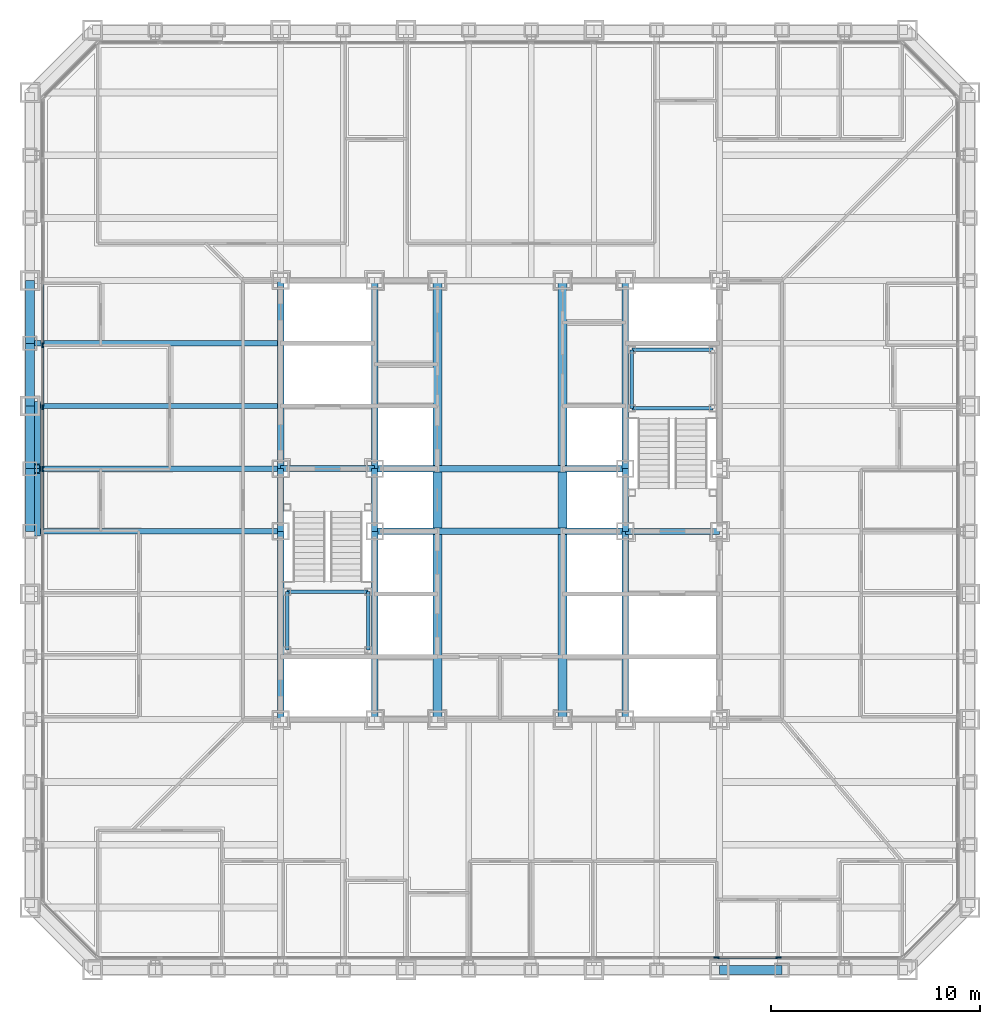
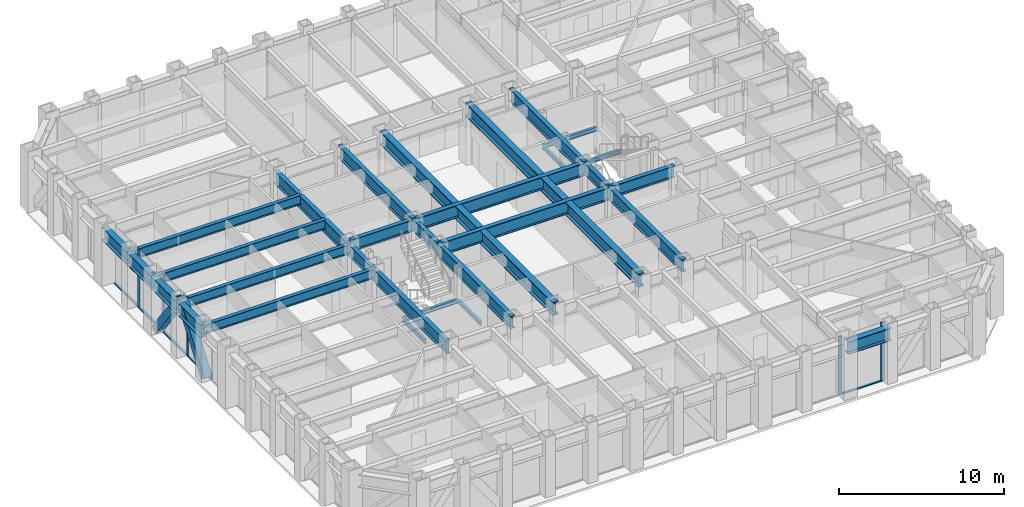
# One storey, part 3 of 16: 34 beams, 12 members, 2 elements without a shape of their own.
"""IFC4 building model written with IfcOpenShell, lengths in metres."""

from ifc_helpers import new_model, si_unit, direction, frame, origin, origin_2d, place, context, subcontext, project, spatial, rectangle, hollow_rectangle, i_section, extrude, material, layer, layer_set, material_profile, profile_set, type_object, element, aggregate, save


model = new_model("IFC4")

# Units and contexts
model_context = context("Model", 3, precision=1e-05, world=origin(), true_north=direction((0.0, 1.0)))
body_context = subcontext(model_context, "Body", "Model", "MODEL_VIEW")
ifc_project = project(units=[si_unit("LENGTHUNIT", "METRE"), si_unit("AREAUNIT", "SQUARE_METRE"), si_unit("VOLUMEUNIT", "CUBIC_METRE"), si_unit("PLANEANGLEUNIT", "RADIAN"), si_unit("MASSUNIT", "GRAM", prefix="KILO")], contexts=[model_context])

# Site, building, storey
site_placement = place(None, origin())
site = spatial("IfcSite", under=ifc_project, at=site_placement, CompositionType="ELEMENT")
building_placement = place(site_placement, origin())
building = spatial("IfcBuilding", under=site, at=building_placement, Name="Chuquiago Exchange Tower", CompositionType="ELEMENT")
storey_placement = place(building_placement, frame((0.0, 0.0, 33.300048828125)))
storey = spatial("IfcBuildingStorey", under=building, at=storey_placement, Name="L06", CompositionType="ELEMENT", Elevation=33.300048828125)

# Beams
ifc_material_1 = material(Name="Steel ASTM A992", Category="steel")
ifc_material_profile_1 = material_profile(ifc_material_1, i_section(OverallWidth=0.307373046875, OverallDepth=0.927001953125, WebThickness=0.01953125, FlangeThickness=0.031982421875, at=origin_2d()), Name="W36X194")
ifc_profile_set_1 = profile_set([ifc_material_profile_1], Name="Steel ASTM A992")
beam_type_1 = type_object("IfcBeamType", Name="B10 W36X194", PredefinedType="BEAM", material=ifc_profile_set_1)
for number, where, z_axis, x_axis, name in (
    (1, (12.0, 12.0, 3.576416015625), (0.0, 1.0, 0.0), (-1.0, 0.0, 0.0), "CB-L07-12_12-12_21"),
    (2, (12.0, 24.0, 3.576416015625), (0.0, 1.0, 0.0), (-1.0, 0.0, 0.0), "CB-L07-12_24-12_33"),
    (3, (16.5, 12.0, 3.87646484375), (0.0, 1.0, 0.0), (-1.0, 0.0, 0.0), "CB-L07-16.5_12-16.5_21"),
    (4, (16.5, 24.0, 3.87646484375), (0.0, 1.0, 0.0), (-1.0, 0.0, 0.0), "CB-L07-16.5_24-16.5_33"),
    (5, (28.5, 12.0, 3.87646484375), (0.0, 1.0, 0.0), (-1.0, 0.0, 0.0), "CB-L07-28.5_12-28.5_21"),
    (6, (28.5, 24.0, 3.87646484375), (0.0, 1.0, 0.0), (-1.0, 0.0, 0.0), "CB-L07-28.5_24-28.5_33"),
):
    element("IfcBeam", number, at=place(storey_placement, frame(where, z_axis=z_axis, x_axis=x_axis)), inside=storey, type_object=beam_type_1, Name=name, PredefinedType="BEAM", context=body_context, shape_type="SweptSolid", body=[
        extrude(i_section(OverallWidth=0.307373046875, OverallDepth=0.927001953125, WebThickness=0.01953125, FlangeThickness=0.031982421875, at=origin_2d()), origin(), (0.0, 0.0, 1.0), 9.0),
    ])
ifc_material_2 = material(Name="Steel ASTM A992", Category="steel")
ifc_material_profile_2 = material_profile(ifc_material_2, i_section(OverallWidth=0.309814453125, OverallDepth=0.949951171875, WebThickness=0.0244140625, FlangeThickness=0.0439453125, at=origin_2d()), Name="W36X256")
ifc_profile_set_2 = profile_set([ifc_material_profile_2], Name="Steel ASTM A992")
beam_type_2 = type_object("IfcBeamType", Name="B11 W36X256", PredefinedType="BEAM", material=ifc_profile_set_2)
for number, where, z_axis, x_axis, name in (
    (7, (16.5, 21.0, 3.864990234375), (1.0, 0.0, 0.0), (0.0, 1.0, 0.0), "CB-L07-16.5_21-28.5_21"),
    (8, (16.5, 24.0, 3.864990234375), (1.0, 0.0, 0.0), (0.0, 1.0, 0.0), "CB-L07-16.5_24-28.5_24"),
):
    element("IfcBeam", number, at=place(storey_placement, frame(where, z_axis=z_axis, x_axis=x_axis)), inside=storey, type_object=beam_type_2, Name=name, PredefinedType="BEAM", context=body_context, shape_type="SweptSolid", body=[
        extrude(i_section(OverallWidth=0.309814453125, OverallDepth=0.949951171875, WebThickness=0.0244140625, FlangeThickness=0.0439453125, at=origin_2d()), origin(), (0.0, 0.0, 1.0), 12.0),
    ])
ifc_material_3 = material(Name="Steel ASTM A992", Category="steel")
ifc_material_profile_3 = material_profile(ifc_material_3, i_section(OverallWidth=0.4267578125, OverallDepth=0.975341796875, WebThickness=0.031005859375, FlangeThickness=0.055908203125, at=origin_2d()), Name="W36X395")
ifc_profile_set_3 = profile_set([ifc_material_profile_3], Name="Steel ASTM A992")
beam_type_3 = type_object("IfcBeamType", Name="B12 W36X395", PredefinedType="BEAM", material=ifc_profile_set_3)
beam_1_placement = place(storey_placement, frame((19.5, 12.0, 3.852294921875), z_axis=(0.0, 1.0, 0.0), x_axis=(-1.0, 0.0, 0.0)))
element("IfcBeam", 9, at=beam_1_placement, inside=storey, type_object=beam_type_3, Name="CB-L07-19.5_12-19.5_20.8451", PredefinedType="BEAM", context=body_context, shape_type="SweptSolid", body=[
    extrude(i_section(OverallWidth=0.4267578125, OverallDepth=0.975341796875, WebThickness=0.031005859375, FlangeThickness=0.055908203125, at=origin_2d()), origin(), (0.0, 0.0, 1.0), 8.84521484375),
])
beam_2_placement = place(storey_placement, frame((19.5, 21.15478515625, 3.852294921875), z_axis=(0.0, 1.0, 0.0), x_axis=(-1.0, 0.0, 0.0)))
element("IfcBeam", 10, at=beam_2_placement, inside=storey, type_object=beam_type_3, Name="CB-L07-19.5_21.1549-19.5_23.8451", PredefinedType="BEAM", context=body_context, shape_type="SweptSolid", body=[
    extrude(i_section(OverallWidth=0.4267578125, OverallDepth=0.975341796875, WebThickness=0.031005859375, FlangeThickness=0.055908203125, at=origin_2d()), origin(), (0.0, 0.0, 1.0), 2.6904296875),
])
for number, where, z_axis, x_axis, name in (
    (11, (19.5, 24.15478515625, 3.852294921875), (0.0, 1.0, 0.0), (-1.0, 0.0, 0.0), "CB-L07-19.5_24.1549-19.5_33"),
    (12, (25.5, 12.0, 3.852294921875), (0.0, 1.0, 0.0), (-1.0, 0.0, 0.0), "CB-L07-25.5_12-25.5_20.8451"),
):
    element("IfcBeam", number, at=place(storey_placement, frame(where, z_axis=z_axis, x_axis=x_axis)), inside=storey, type_object=beam_type_3, Name=name, PredefinedType="BEAM", context=body_context, shape_type="SweptSolid", body=[
        extrude(i_section(OverallWidth=0.4267578125, OverallDepth=0.975341796875, WebThickness=0.031005859375, FlangeThickness=0.055908203125, at=origin_2d()), origin(), (0.0, 0.0, 1.0), 8.84521484375),
    ])
beam_3_placement = place(storey_placement, frame((25.5, 21.15478515625, 3.852294921875), z_axis=(0.0, 1.0, 0.0), x_axis=(-1.0, 0.0, 0.0)))
element("IfcBeam", 13, at=beam_3_placement, inside=storey, type_object=beam_type_3, Name="CB-L07-25.5_21.1549-25.5_23.8451", PredefinedType="BEAM", context=body_context, shape_type="SweptSolid", body=[
    extrude(i_section(OverallWidth=0.4267578125, OverallDepth=0.975341796875, WebThickness=0.031005859375, FlangeThickness=0.055908203125, at=origin_2d()), origin(), (0.0, 0.0, 1.0), 2.6904296875),
])
beam_4_placement = place(storey_placement, frame((25.5, 24.15478515625, 3.852294921875), z_axis=(0.0, 1.0, 0.0), x_axis=(-1.0, 0.0, 0.0)))
element("IfcBeam", 14, at=beam_4_placement, inside=storey, type_object=beam_type_3, Name="CB-L07-25.5_24.1549-25.5_33", PredefinedType="BEAM", context=body_context, shape_type="SweptSolid", body=[
    extrude(i_section(OverallWidth=0.4267578125, OverallDepth=0.975341796875, WebThickness=0.031005859375, FlangeThickness=0.055908203125, at=origin_2d()), origin(), (0.0, 0.0, 1.0), 8.84521484375),
])
ifc_material_4 = material(Name="Steel ASTM A992", Category="steel")
ifc_material_profile_4 = material_profile(ifc_material_4, i_section(OverallWidth=0.2919921875, OverallDepth=0.8583984375, WebThickness=0.01708984375, FlangeThickness=0.031005859375, at=origin_2d()), Name="W33X169")
ifc_profile_set_4 = profile_set([ifc_material_profile_4], Name="Steel ASTM A992")
beam_type_4 = type_object("IfcBeamType", Name="B3 W33X169", PredefinedType="BEAM", material=ifc_profile_set_4)
for number, where, z_axis, x_axis, name in (
    (15, (12.0, 21.0, 3.610595703125), (0.0, 1.0, 0.0), (-1.0, 0.0, 0.0), "CB-L07-12_21-12_24"),
    (16, (16.5, 21.0, 3.91064453125), (0.0, 1.0, 0.0), (-1.0, 0.0, 0.0), "CB-L07-16.5_21-16.5_24"),
    (17, (28.5, 21.0, 3.91064453125), (0.0, 1.0, 0.0), (-1.0, 0.0, 0.0), "CB-L07-28.5_21-28.5_24"),
):
    element("IfcBeam", number, at=place(storey_placement, frame(where, z_axis=z_axis, x_axis=x_axis)), inside=storey, type_object=beam_type_4, Name=name, PredefinedType="BEAM", context=body_context, shape_type="SweptSolid", body=[
        extrude(i_section(OverallWidth=0.2919921875, OverallDepth=0.8583984375, WebThickness=0.01708984375, FlangeThickness=0.031005859375, at=origin_2d()), origin(), (0.0, 0.0, 1.0), 3.0),
    ])
for number, where, z_axis, x_axis, name in (
    (18, (28.5, 21.0, 3.91064453125), (1.0, 0.0, 0.0), (0.0, 1.0, 0.0), "CB-L07-28.5_21-33_21"),
    (19, (12.0, 24.0, 3.91064453125), (1.0, 0.0, 0.0), (0.0, 1.0, 0.0), "CB-L07-12_24-16.5_24"),
):
    element("IfcBeam", number, at=place(storey_placement, frame(where, z_axis=z_axis, x_axis=x_axis)), inside=storey, type_object=beam_type_4, Name=name, PredefinedType="BEAM", context=body_context, shape_type="SweptSolid", body=[
        extrude(i_section(OverallWidth=0.2919921875, OverallDepth=0.8583984375, WebThickness=0.01708984375, FlangeThickness=0.031005859375, at=origin_2d()), origin(), (0.0, 0.0, 1.0), 4.5),
    ])
ifc_material_5 = material(Name="Steel ASTM A992", Category="steel")
ifc_material_profile_5 = material_profile(ifc_material_5, i_section(OverallWidth=0.256591796875, OverallDepth=0.693359375, WebThickness=0.014404296875, FlangeThickness=0.023681640625, at=origin_2d()), Name="W27X114")
ifc_profile_set_5 = profile_set([ifc_material_profile_5], Name="Steel ASTM A992")
beam_type_5 = type_object("IfcBeamType", Name="B4 W27X114", PredefinedType="BEAM", material=ifc_profile_set_5)
for number, where, z_axis, x_axis, name in (
    (20, (12.0, 21.0, 3.693359375), (-1.0, 0.0, 0.0), (0.0, -1.0, 0.0), "FB-L07-infill-12_21--0_21-0"),
    (21, (12.0, 24.0, 3.693359375), (-1.0, 0.0, 0.0), (0.0, -1.0, 0.0), "FB-L07-infill-12_24--0_24-0"),
    (22, (12.0, 27.0, 3.693359375), (-1.0, 0.0, 0.0), (0.0, -1.0, 0.0), "FB-L07-infill-12_27--0_27-0"),
    (23, (12.0, 30.0, 3.693359375), (-1.0, 0.0, 0.0), (0.0, -1.0, 0.0), "FB-L07-infill-12_30--0_30-0"),
):
    element("IfcBeam", number, at=place(storey_placement, frame(where, z_axis=z_axis, x_axis=x_axis)), inside=storey, type_object=beam_type_5, Name=name, PredefinedType="BEAM", context=body_context, shape_type="SweptSolid", body=[
        extrude(i_section(OverallWidth=0.256591796875, OverallDepth=0.693359375, WebThickness=0.014404296875, FlangeThickness=0.023681640625, at=origin_2d()), origin(), (0.0, 0.0, 1.0), 12.0),
    ])

# Curtain wall, members
ifc_material_6 = material(Name="Aluminium curtain wall system", Category="aluminium")
ifc_layer = layer(ifc_material_6, 0.25)
ifc_layer_set = layer_set([ifc_layer], Name="CW1 trading floor curtain wall")
curtain_wall_type = type_object("IfcCurtainWallType", Name="CW1 trading floor curtain wall", PredefinedType="NOTDEFINED", material=ifc_layer_set)
curtain_wall_1_placement = place(storey_placement, origin())
curtain_wall_1 = element("IfcCurtainWall", 24, at=curtain_wall_1_placement, inside=storey, type_object=curtain_wall_type, Name="CW1 curtain wall L06", PredefinedType="NOTDEFINED")
ifc_material_7 = material(Name="Aluminium mullion, pale anodised", Category="aluminium")
ifc_material_profile_6 = material_profile(ifc_material_7, rectangle(XDim=0.074951171875, YDim=0.25, at=origin_2d()), Name="AL 75x250")
ifc_profile_set_6 = profile_set([ifc_material_profile_6], Name="Aluminium mullion, pale anodised")
member_type_1 = type_object("IfcMemberType", Name="CW1-M mullion 75x250", PredefinedType="MULLION", material=ifc_profile_set_6)
member_1_placement = place(storey_placement, frame((32.8662109375, 0.60009765625, -0.300048828125), z_axis=(0.0, 0.0, 1.0), x_axis=(0.0, 1.0, 0.0)))
member_1 = element("IfcMember", 25, at=member_1_placement, type_object=member_type_1, Name="CW1 mullion 11", PredefinedType="MULLION", context=body_context, shape_type="SweptSolid", body=[
    extrude(rectangle(XDim=0.074951171875, YDim=0.25, at=origin_2d()), origin(), (0.0, 0.0, 1.0), 4.340087890625),
])
member_2_placement = place(storey_placement, frame((35.827880859375, 0.60009765625, -0.300048828125), z_axis=(0.0, 0.0, 1.0), x_axis=(0.0, 1.0, 0.0)))
member_2 = element("IfcMember", 26, at=member_2_placement, type_object=member_type_1, Name="CW1 mullion 12", PredefinedType="MULLION", context=body_context, shape_type="SweptSolid", body=[
    extrude(rectangle(XDim=0.074951171875, YDim=0.25, at=origin_2d()), origin(), (0.0, 0.0, 1.0), 4.340087890625),
])

curtain_wall_2_placement = place(storey_placement, origin())
curtain_wall_2 = element("IfcCurtainWall", 27, at=curtain_wall_2_placement, inside=storey, type_object=curtain_wall_type, Name="CW1 curtain wall L06", PredefinedType="NOTDEFINED")
member_3_placement = place(storey_placement, frame((0.60009765625, 29.904541015625, -0.300048828125), z_axis=(0.0, 0.0, 1.0), x_axis=(1.0, 0.0, 0.0)))
member_3 = element("IfcMember", 28, at=member_3_placement, type_object=member_type_1, Name="CW1 mullion 5", PredefinedType="MULLION", context=body_context, shape_type="SweptSolid", body=[
    extrude(rectangle(XDim=0.074951171875, YDim=0.25, at=origin_2d()), origin(), (0.0, 0.0, 1.0), 4.340087890625),
])
member_4_placement = place(storey_placement, frame((0.60009765625, 26.942626953125, -0.300048828125), z_axis=(0.0, 0.0, 1.0), x_axis=(1.0, 0.0, 0.0)))
member_4 = element("IfcMember", 29, at=member_4_placement, type_object=member_type_1, Name="CW1 mullion 6", PredefinedType="MULLION", context=body_context, shape_type="SweptSolid", body=[
    extrude(rectangle(XDim=0.074951171875, YDim=0.25, at=origin_2d()), origin(), (0.0, 0.0, 1.0), 4.340087890625),
])
member_5_placement = place(storey_placement, frame((0.60009765625, 23.98095703125, -0.300048828125), z_axis=(0.0, 0.0, 1.0), x_axis=(1.0, 0.0, 0.0)))
member_5 = element("IfcMember", 30, at=member_5_placement, type_object=member_type_1, Name="CW1 mullion 7", PredefinedType="MULLION", context=body_context, shape_type="SweptSolid", body=[
    extrude(rectangle(XDim=0.074951171875, YDim=0.25, at=origin_2d()), origin(), (0.0, 0.0, 1.0), 4.340087890625),
])

# Member
ifc_material_8 = material(Name="Aluminium transom, pale anodised", Category="aluminium")
ifc_material_profile_7 = material_profile(ifc_material_8, rectangle(XDim=0.14990234375, YDim=0.074951171875, at=origin_2d()), Name="AL 150x75")
ifc_profile_set_7 = profile_set([ifc_material_profile_7], Name="Aluminium transom, pale anodised")
member_type_2 = type_object("IfcMemberType", Name="CW1-T transom 75x150", PredefinedType="MULLION", material=ifc_profile_set_7)
member_6_placement = place(storey_placement, frame((32.90380859375, 0.60009765625, -0.262451171875), z_axis=(1.0, 0.0, 0.0), x_axis=(0.0, 1.0, 0.0)))
member_6 = element("IfcMember", 31, at=member_6_placement, type_object=member_type_2, Name="CW1 transom 11.1", PredefinedType="MULLION", context=body_context, shape_type="SweptSolid", body=[
    extrude(rectangle(XDim=0.14990234375, YDim=0.074951171875, at=origin_2d()), origin(), (0.0, 0.0, 1.0), 2.88671875),
])

aggregate(curtain_wall_1, [member_1, member_2, member_6])

member_7_placement = place(storey_placement, frame((0.60009765625, 32.82861328125, -0.262451171875), z_axis=(0.0, -1.0, 0.0), x_axis=(1.0, 0.0, 0.0)))
member_7 = element("IfcMember", 32, at=member_7_placement, type_object=member_type_2, Name="CW1 transom 4.1", PredefinedType="MULLION", context=body_context, shape_type="SweptSolid", body=[
    extrude(rectangle(XDim=0.14990234375, YDim=0.074951171875, at=origin_2d()), origin(), (0.0, 0.0, 1.0), 2.88671875),
])

member_8_placement = place(storey_placement, frame((0.60009765625, 29.866943359375, -0.262451171875), z_axis=(0.0, -1.0, 0.0), x_axis=(1.0, 0.0, 0.0)))
member_8 = element("IfcMember", 33, at=member_8_placement, type_object=member_type_2, Name="CW1 transom 5.1", PredefinedType="MULLION", context=body_context, shape_type="SweptSolid", body=[
    extrude(rectangle(XDim=0.14990234375, YDim=0.074951171875, at=origin_2d()), origin(), (0.0, 0.0, 1.0), 2.88671875),
])

member_9_placement = place(storey_placement, frame((0.60009765625, 26.9052734375, -0.262451171875), z_axis=(0.0, -1.0, 0.0), x_axis=(1.0, 0.0, 0.0)))
member_9 = element("IfcMember", 34, at=member_9_placement, type_object=member_type_2, Name="CW1 transom 6.1", PredefinedType="MULLION", context=body_context, shape_type="SweptSolid", body=[
    extrude(rectangle(XDim=0.14990234375, YDim=0.074951171875, at=origin_2d()), origin(), (0.0, 0.0, 1.0), 2.886962890625),
])

member_10_placement = place(storey_placement, frame((0.60009765625, 23.943359375, -0.262451171875), z_axis=(0.0, -1.0, 0.0), x_axis=(1.0, 0.0, 0.0)))
member_10 = element("IfcMember", 35, at=member_10_placement, type_object=member_type_2, Name="CW1 transom 7.1", PredefinedType="MULLION", context=body_context, shape_type="SweptSolid", body=[
    extrude(rectangle(XDim=0.14990234375, YDim=0.074951171875, at=origin_2d()), origin(), (0.0, 0.0, 1.0), 2.88671875),
])

aggregate(curtain_wall_2, [member_3, member_4, member_5, member_7, member_8, member_9, member_10])

# Beams
ifc_material_9 = material(Name="Steel ASTM A992", Category="steel")
ifc_material_profile_8 = material_profile(ifc_material_9, i_section(OverallWidth=0.164794921875, OverallDepth=0.309814453125, WebThickness=0.005859375, FlangeThickness=0.009765625, at=origin_2d()), Name="W12X26")
ifc_profile_set_8 = profile_set([ifc_material_profile_8], Name="Steel ASTM A992")
beam_type_6 = type_object("IfcBeamType", Name="LS1 W12X26", PredefinedType="BEAM", material=ifc_profile_set_8)
for number, where, z_axis, x_axis, name in (
    (36, (12.31005859375, 15.31005859375, 1.89501953125), (0.0, 1.0, 0.0), (-1.0, 0.0, 0.0), "Stair ST1 L06 landing 1 stringer"),
    (37, (16.18994140625, 15.31005859375, 1.89501953125), (0.0, 1.0, 0.0), (-1.0, 0.0, 0.0), "Stair ST1 L06 landing 1 stringer"),
    (38, (28.81005859375, 26.889892578125, 1.89501953125), (0.0, 1.0, 0.0), (-1.0, 0.0, 0.0), "Stair ST2 L06 landing 1 stringer"),
):
    element("IfcBeam", number, at=place(storey_placement, frame(where, z_axis=z_axis, x_axis=x_axis)), inside=storey, type_object=beam_type_6, Name=name, PredefinedType="BEAM", context=body_context, shape_type="SweptSolid", body=[
        extrude(i_section(OverallWidth=0.164794921875, OverallDepth=0.309814453125, WebThickness=0.005859375, FlangeThickness=0.009765625, at=origin_2d()), origin(), (0.0, 0.0, 1.0), 2.800048828125),
    ])
ifc_material_10 = material(Name="Steel ASTM A992", Category="steel")
ifc_material_profile_9 = material_profile(ifc_material_10, i_section(OverallWidth=0.164794921875, OverallDepth=0.309814453125, WebThickness=0.005859375, FlangeThickness=0.009765625, at=origin_2d()), Name="W12X26")
ifc_profile_set_9 = profile_set([ifc_material_profile_9], Name="Steel ASTM A992")
beam_type_7 = type_object("IfcBeamType", Name="LT1 W12X26", PredefinedType="BEAM", material=ifc_profile_set_9)
for number, where, z_axis, x_axis, name in (
    (39, (12.31005859375, 18.110107421875, 1.89501953125), (1.0, 0.0, 0.0), (0.0, 1.0, 0.0), "Stair ST1 L06 landing 1 trimmer"),
    (40, (28.81005859375, 29.68994140625, 1.89501953125), (1.0, 0.0, 0.0), (0.0, 1.0, 0.0), "Stair ST2 L06 landing 1 trimmer"),
    (41, (28.81005859375, 26.889892578125, 1.89501953125), (1.0, 0.0, 0.0), (0.0, 1.0, 0.0), "Stair ST2 L06 landing 1 trimmer"),
):
    element("IfcBeam", number, at=place(storey_placement, frame(where, z_axis=z_axis, x_axis=x_axis)), inside=storey, type_object=beam_type_7, Name=name, PredefinedType="BEAM", context=body_context, shape_type="SweptSolid", body=[
        extrude(i_section(OverallWidth=0.164794921875, OverallDepth=0.309814453125, WebThickness=0.005859375, FlangeThickness=0.009765625, at=origin_2d()), origin(), (0.0, 0.0, 1.0), 3.8798828125),
    ])

# Members
ifc_material_11 = material(Name="Steel ASTM A572 Grade 50", Category="steel")
ifc_material_profile_10 = material_profile(ifc_material_11, hollow_rectangle(XDim=0.550048828125, YDim=0.550048828125, WallThickness=0.044921875, at=origin_2d()), Name="BOX550X550X45")
ifc_profile_set_10 = profile_set([ifc_material_profile_10], Name="Steel ASTM A572 Grade 50")
member_type_3 = type_object("IfcMemberType", Name="MB1 BOX550X550X45", PredefinedType="BRACE", material=ifc_profile_set_10)
for number, where, z_axis, x_axis, name in (
    (42, (0.22998046875, 27.0, 0.0), (0.0, -0.596173923302, 0.802855312728), (1.0, 0.0, 0.0), "Mega diagonal L06 W face"),
    (43, (0.22998046875, 21.0, 0.0), (0.0, 0.596173923302, 0.802855312728), (-1.0, 0.0, 0.0), "Mega diagonal L06 W face"),
):
    element("IfcMember", number, at=place(storey_placement, frame(where, z_axis=z_axis, x_axis=x_axis)), inside=storey, type_object=member_type_3, Name=name, PredefinedType="BRACE", context=body_context, shape_type="SweptSolid", body=[
        extrude(hollow_rectangle(XDim=0.550048828125, YDim=0.550048828125, WallThickness=0.044921875, at=origin_2d()), origin(), (0.0, 0.0, 1.0), 5.031982421875),
    ])

# Beams
ifc_material_12 = material(Name="Steel ASTM A992", Category="steel")
ifc_material_profile_11 = material_profile(ifc_material_12, i_section(OverallWidth=0.424072265625, OverallDepth=0.947509765625, WebThickness=0.02392578125, FlangeThickness=0.042724609375, at=origin_2d()), Name="W36X302")
ifc_profile_set_11 = profile_set([ifc_material_profile_11], Name="Steel ASTM A992")
beam_type_8 = type_object("IfcBeamType", Name="SP1 W36X302", PredefinedType="SPANDREL", material=ifc_profile_set_11)
for number, where, z_axis, x_axis, name in (
    (44, (33.0, 0.0, 3.566162109375), (1.0, 0.0, 0.0), (0.0, 1.0, 0.0), "SPB-L07-33_0-36_0"),
    (45, (0.0, 33.0, 3.566162109375), (0.0, -1.0, 0.0), (1.0, 0.0, 0.0), "SPB-L07-0_33-0_30"),
    (46, (0.0, 30.0, 3.566162109375), (0.0, -1.0, 0.0), (1.0, 0.0, 0.0), "SPB-L07-0_30-0_27"),
    (47, (0.0, 27.0, 3.566162109375), (0.0, -1.0, 0.0), (1.0, 0.0, 0.0), "SPB-L07-0_27-0_24"),
    (48, (0.0, 24.0, 3.566162109375), (0.0, -1.0, 0.0), (1.0, 0.0, 0.0), "SPB-L07-0_24-0_21"),
):
    element("IfcBeam", number, at=place(storey_placement, frame(where, z_axis=z_axis, x_axis=x_axis)), inside=storey, type_object=beam_type_8, Name=name, PredefinedType="SPANDREL", context=body_context, shape_type="SweptSolid", body=[
        extrude(i_section(OverallWidth=0.424072265625, OverallDepth=0.947509765625, WebThickness=0.02392578125, FlangeThickness=0.042724609375, at=origin_2d()), origin(), (0.0, 0.0, 1.0), 3.0),
    ])

save(model, "model.ifc")
